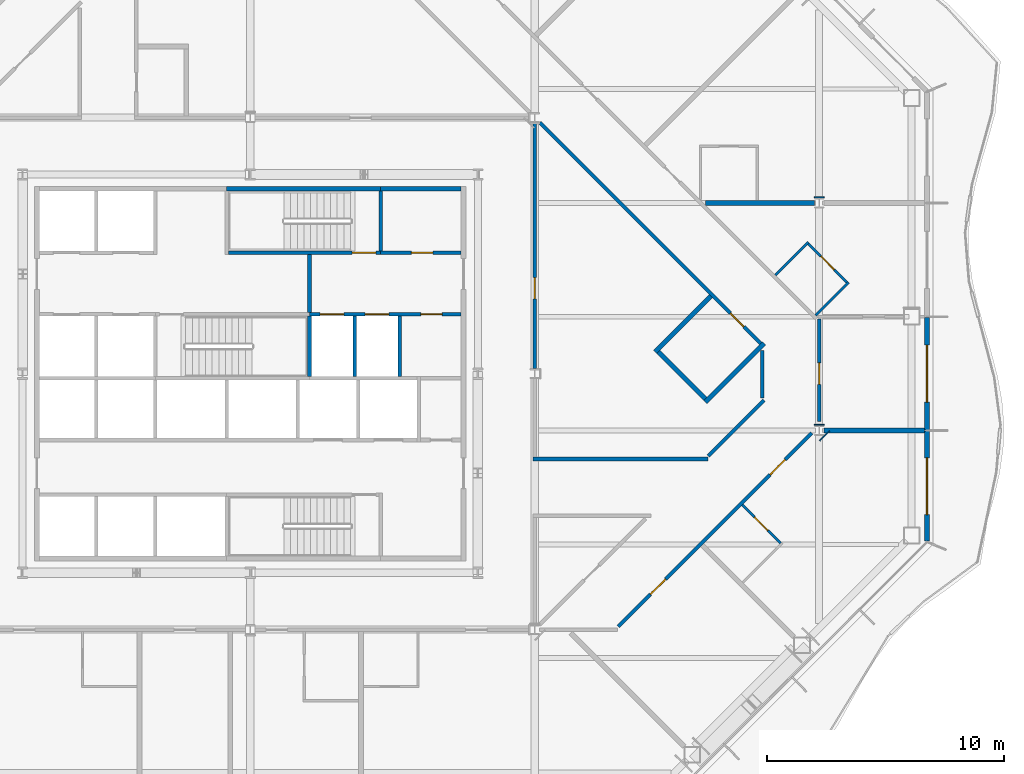
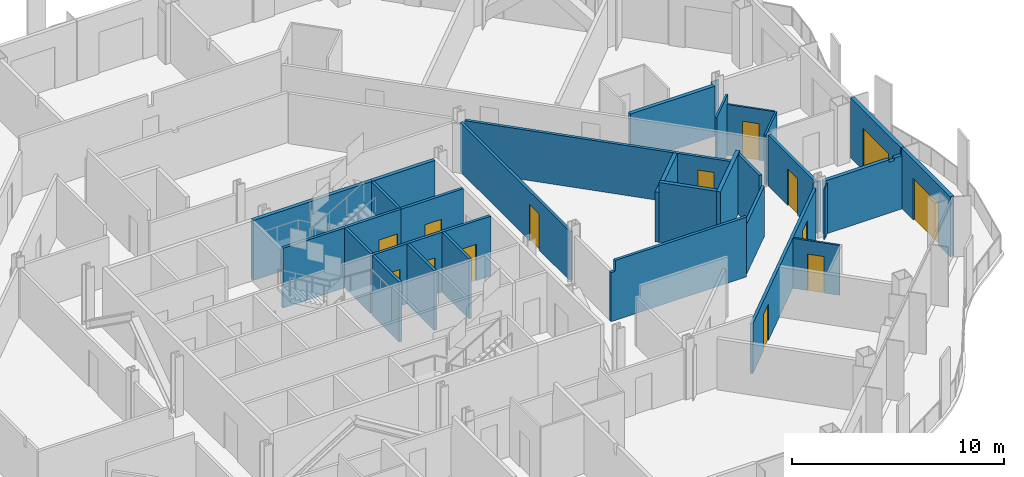
# One storey, part 10 of 21: 31 walls, 14 doors, 14 openings.
"""IFC4 building model written with IfcOpenShell, lengths in metres."""

from ifc_helpers import new_model, si_unit, direction, frame, frame_2d, origin, place, context, subcontext, project, spatial, polyline, rectangle, outline, extrude, material, layer, layer_set, type_object, element, fill, save


model = new_model("IFC4")

# Units and contexts
model_context = context("Model", 3, precision=1e-05, world=origin(), true_north=direction((0.0, 1.0)))
body_context = subcontext(model_context, "Body", "Model", "MODEL_VIEW")
ifc_project = project(units=[si_unit("LENGTHUNIT", "METRE"), si_unit("AREAUNIT", "SQUARE_METRE"), si_unit("VOLUMEUNIT", "CUBIC_METRE"), si_unit("PLANEANGLEUNIT", "RADIAN"), si_unit("MASSUNIT", "GRAM", prefix="KILO")], contexts=[model_context])

# Site, building, storey
site_placement = place(None, origin())
site = spatial("IfcSite", under=ifc_project, at=site_placement, CompositionType="ELEMENT")
building_placement = place(site_placement, origin())
building = spatial("IfcBuilding", under=site, at=building_placement, Name="Cairn Pilgrim Tower", CompositionType="ELEMENT")
storey_placement = place(building_placement, frame((0.0, 0.0, 129.0)))
storey = spatial("IfcBuildingStorey", under=building, at=storey_placement, Name="L31", CompositionType="ELEMENT", Elevation=129.0)

# Wall, opening, door
ifc_material_1 = material(Name="Bronze anodised aluminium insulated sandwich panel with mineral wool fill", Category="aluminium")
ifc_layer_1 = layer(ifc_material_1, 0.199951171875)
ifc_layer_set_1 = layer_set([ifc_layer_1], Name="BRONZE INFILL FRAME WALL 200")
wall_type_1 = type_object("IfcWallType", Name="BRONZE INFILL FRAME WALL 200", PredefinedType="NOTDEFINED", material=ifc_layer_set_1)
wall_1_placement = place(storey_placement, frame((35.75, -4.656494140625, 0.0), z_axis=(0.0, 0.0, 1.0), x_axis=(0.0, 1.0, 0.0)))
wall_1 = element("IfcWall", 1, at=wall_1_placement, inside=storey, type_object=wall_type_1, Name="Bronze infill frame wall IW-E1", PredefinedType="NOTDEFINED", context=body_context, shape_type="SweptSolid", body=[
    extrude(rectangle(XDim=4.62646484375, YDim=0.199951171875, at=frame_2d((2.313232421875, 0.0))), origin(), (0.0, 0.0, 1.0), 3.449951171875),
])
opening_1_placement = place(wall_1_placement, frame((1.1083984375, 0.0, 0.0)))
opening_1 = element("IfcOpeningElement", 2, at=opening_1_placement, cuts=wall_1, Name="Opening 3104B", PredefinedType="OPENING", context=body_context, shape_type="SweptSolid", body=[
    extrude(rectangle(XDim=2.39990234375, YDim=2.39990234375, at=frame_2d((1.199951171875, 1.199951171875))), frame((0.0, 0.10986328125, 0.0), z_axis=(0.0, -1.0, 0.0), x_axis=(1.0, 0.0, 0.0)), (0.0, 0.0, 1.0), 0.219970703125),
])
ifc_material_2 = material(Name="Bronze anodised aluminium frame with tinted low-E glass", Category="aluminium")
door_type_1 = type_object("IfcDoorType", Name="BALCONY SLIDING DOOR 2400x2400", OperationType="DOUBLE_DOOR_SLIDING", PredefinedType="DOOR", material=ifc_material_2)
door_1_placement = place(opening_1_placement, origin())
door_1 = element("IfcDoor", 3, at=door_1_placement, inside=storey, type_object=door_type_1, Name="Balcony sliding door 3104B", OperationType="SINGLE_SWING_LEFT", OverallHeight=2.39990234375, OverallWidth=2.39990234375, PredefinedType="DOOR", context=body_context, shape_type="SweptSolid", body=[
    extrude(rectangle(XDim=2.39990234375, YDim=2.39990234375, at=frame_2d((1.199951171875, 1.199951171875))), frame((0.0, 0.02490234375, 0.0), z_axis=(0.0, -1.0, 0.0), x_axis=(1.0, 0.0, 0.0)), (0.0, 0.0, 1.0), 0.050048828125),
])
fill(opening_1, door_1)

wall_2_placement = place(storey_placement, frame((35.75, 0.030029296875, 0.0), z_axis=(0.0, 0.0, 1.0), x_axis=(0.0, 1.0, 0.0)))
wall_2 = element("IfcWall", 4, at=wall_2_placement, inside=storey, type_object=wall_type_1, Name="Bronze infill frame wall IW-E2", PredefinedType="NOTDEFINED", context=body_context, shape_type="SweptSolid", body=[
    extrude(rectangle(XDim=4.739990234375, YDim=0.199951171875, at=frame_2d((2.3701171875, 0.0))), origin(), (0.0, 0.0, 1.0), 3.449951171875),
])
opening_2_placement = place(wall_2_placement, frame((1.169921875, 0.0, 0.0)))
opening_2 = element("IfcOpeningElement", 5, at=opening_2_placement, cuts=wall_2, Name="Opening 3105B", PredefinedType="OPENING", context=body_context, shape_type="SweptSolid", body=[
    extrude(rectangle(XDim=2.39990234375, YDim=2.39990234375, at=frame_2d((1.199951171875, 1.199951171875))), frame((0.0, 0.10986328125, 0.0), z_axis=(0.0, -1.0, 0.0), x_axis=(1.0, 0.0, 0.0)), (0.0, 0.0, 1.0), 0.219970703125),
])
door_2_placement = place(opening_2_placement, origin())
door_2 = element("IfcDoor", 6, at=door_2_placement, inside=storey, type_object=door_type_1, Name="Balcony sliding door 3105B", OperationType="SINGLE_SWING_LEFT", OverallHeight=2.39990234375, OverallWidth=2.39990234375, PredefinedType="DOOR", context=body_context, shape_type="SweptSolid", body=[
    extrude(rectangle(XDim=2.39990234375, YDim=2.39990234375, at=frame_2d((1.199951171875, 1.199951171875))), frame((0.0, 0.02490234375, 0.0), z_axis=(0.0, -1.0, 0.0), x_axis=(1.0, 0.0, 0.0)), (0.0, 0.0, 1.0), 0.050048828125),
])
fill(opening_2, door_2)

# Wall
ifc_material_3 = material(Name="Concrete C32/40", Category="concrete")
ifc_layer_2 = layer(ifc_material_3, 0.199951171875)
ifc_layer_set_2 = layer_set([ifc_layer_2], Name="CORE OUTER WALL 200 EI 120")
wall_type_2 = type_object("IfcWallType", Name="CORE OUTER WALL 200 EI 120", PredefinedType="SOLIDWALL", material=ifc_layer_set_2)
wall_3_placement = place(storey_placement, frame((12.699951171875, 10.199951171875, 0.0), z_axis=(0.0, 0.0, 1.0), x_axis=(1.0, 0.0, 0.0)))
element("IfcWall", 7, at=wall_3_placement, inside=storey, type_object=wall_type_2, Name="CW:L31:H10-3", PredefinedType="SOLIDWALL", context=body_context, shape_type="SweptSolid", body=[
    extrude(rectangle(XDim=3.400146484375, YDim=0.199951171875, at=frame_2d((1.7001953125, 0.0))), origin(), (0.0, 0.0, 1.0), 3.449951171875),
])

# Wall, openings, doors
ifc_layer_3 = layer(ifc_material_3, 0.14990234375)
ifc_layer_set_3 = layer_set([ifc_layer_3], Name="CORE SHAFT WALL 150 EI 120")
wall_type_3 = type_object("IfcWallType", Name="CORE SHAFT WALL 150 EI 120", PredefinedType="SOLIDWALL", material=ifc_layer_set_3)
wall_4_placement = place(storey_placement, frame((9.699951171875, 4.89990234375, 0.0), z_axis=(0.0, 0.0, 1.0), x_axis=(1.0, 0.0, 0.0)))
wall_4 = element("IfcWall", 8, at=wall_4_placement, inside=storey, type_object=wall_type_3, Name="CW:L31:H07-3", PredefinedType="SOLIDWALL", context=body_context, shape_type="SweptSolid", body=[
    extrude(rectangle(XDim=6.400146484375, YDim=0.14990234375, at=frame_2d((3.2001953125, 0.0))), origin(), (0.0, 0.0, 1.0), 3.449951171875),
])
opening_3_placement = place(wall_4_placement, frame((0.449951171875, 0.0, 0.0)))
opening_3 = element("IfcOpeningElement", 9, at=opening_3_placement, cuts=wall_4, Name="Opening LD-FF1", PredefinedType="OPENING", context=body_context, shape_type="SweptSolid", body=[
    extrude(rectangle(XDim=1.0, YDim=2.10009765625, at=frame_2d((0.5, 1.050048828125))), frame((0.0, 0.0849609375, 0.0), z_axis=(0.0, -1.0, 0.0), x_axis=(1.0, 0.0, 0.0)), (0.0, 0.0, 1.0), 0.169921875),
])
opening_4_placement = place(wall_4_placement, frame((2.35009765625, 0.0, 0.0)))
opening_4 = element("IfcOpeningElement", 10, at=opening_4_placement, cuts=wall_4, Name="Opening LD-FF2", PredefinedType="OPENING", context=body_context, shape_type="SweptSolid", body=[
    extrude(rectangle(XDim=1.0, YDim=2.10009765625, at=frame_2d((0.5, 1.050048828125))), frame((0.0, 0.0849609375, 0.0), z_axis=(0.0, -1.0, 0.0), x_axis=(1.0, 0.0, 0.0)), (0.0, 0.0, 1.0), 0.169921875),
])
opening_5_placement = place(wall_4_placement, frame((4.699951171875, 0.0, 0.0)))
opening_5 = element("IfcOpeningElement", 11, at=opening_5_placement, cuts=wall_4, Name="Opening RD-R3E", PredefinedType="OPENING", context=body_context, shape_type="SweptSolid", body=[
    extrude(rectangle(XDim=0.89990234375, YDim=2.10009765625, at=frame_2d((0.449951171875, 1.050048828125))), frame((0.0, 0.0849609375, 0.0), z_axis=(0.0, -1.0, 0.0), x_axis=(1.0, 0.0, 0.0)), (0.0, 0.0, 1.0), 0.169921875),
])
ifc_material_4 = material(Name="Stainless steel", Category="steel")
door_type_2 = type_object("IfcDoorType", Name="LIFT LANDING DOOR FIRE 1000x2100", OperationType="DOUBLE_DOOR_SLIDING", PredefinedType="DOOR", material=ifc_material_4)
door_3_placement = place(opening_3_placement, origin())
door_3 = element("IfcDoor", 12, at=door_3_placement, inside=storey, type_object=door_type_2, Name="LANDING DOOR FF1", OperationType="DOUBLE_DOOR_SLIDING", OverallHeight=2.10009765625, OverallWidth=1.0, PredefinedType="DOOR", context=body_context, shape_type="SweptSolid", body=[
    extrude(rectangle(XDim=1.0, YDim=2.10009765625, at=frame_2d((0.5, 1.050048828125))), frame((0.0, 0.02490234375, 0.0), z_axis=(0.0, -1.0, 0.0), x_axis=(1.0, 0.0, 0.0)), (0.0, 0.0, 1.0), 0.050048828125),
])
fill(opening_3, door_3)
door_4_placement = place(opening_4_placement, origin())
door_4 = element("IfcDoor", 13, at=door_4_placement, inside=storey, type_object=door_type_2, Name="LANDING DOOR FF2", OperationType="DOUBLE_DOOR_SLIDING", OverallHeight=2.10009765625, OverallWidth=1.0, PredefinedType="DOOR", context=body_context, shape_type="SweptSolid", body=[
    extrude(rectangle(XDim=1.0, YDim=2.10009765625, at=frame_2d((0.5, 1.050048828125))), frame((0.0, 0.02490234375, 0.0), z_axis=(0.0, -1.0, 0.0), x_axis=(1.0, 0.0, 0.0)), (0.0, 0.0, 1.0), 0.050048828125),
])
fill(opening_4, door_4)
ifc_material_5 = material(Name="Painted steel", Category="steel")
door_type_3 = type_object("IfcDoorType", Name="SERVICE ROOM DOOR 900x2100", OperationType="SINGLE_SWING_LEFT", PredefinedType="DOOR", material=ifc_material_5)
door_5_placement = place(opening_5_placement, origin())
door_5 = element("IfcDoor", 14, at=door_5_placement, inside=storey, type_object=door_type_3, Name="RD-R3E", OperationType="SINGLE_SWING_LEFT", OverallHeight=2.10009765625, OverallWidth=0.89990234375, PredefinedType="DOOR", context=body_context, shape_type="SweptSolid", body=[
    extrude(rectangle(XDim=0.89990234375, YDim=2.10009765625, at=frame_2d((0.449951171875, 1.050048828125))), frame((0.0, 0.02490234375, 0.0), z_axis=(0.0, -1.0, 0.0), x_axis=(1.0, 0.0, 0.0)), (0.0, 0.0, 1.0), 0.050048828125),
])
fill(opening_5, door_5)

# Wall, opening, door
wall_5_placement = place(storey_placement, frame((12.699951171875, 7.5, 0.0), z_axis=(0.0, 0.0, 1.0), x_axis=(1.0, 0.0, 0.0)))
wall_5 = element("IfcWall", 15, at=wall_5_placement, inside=storey, type_object=wall_type_3, Name="CW:L31:H09-2", PredefinedType="SOLIDWALL", context=body_context, shape_type="SweptSolid", body=[
    extrude(rectangle(XDim=3.400146484375, YDim=0.14990234375, at=frame_2d((1.7001953125, 0.0))), origin(), (0.0, 0.0, 1.0), 3.449951171875),
])
opening_6_placement = place(wall_5_placement, frame((1.300048828125, 0.0, 0.0)))
opening_6 = element("IfcOpeningElement", 16, at=opening_6_placement, cuts=wall_5, Name="Opening RD-R4E", PredefinedType="OPENING", context=body_context, shape_type="SweptSolid", body=[
    extrude(rectangle(XDim=0.89990234375, YDim=2.10009765625, at=frame_2d((0.449951171875, 1.050048828125))), frame((0.0, 0.0849609375, 0.0), z_axis=(0.0, -1.0, 0.0), x_axis=(1.0, 0.0, 0.0)), (0.0, 0.0, 1.0), 0.169921875),
])
door_6_placement = place(opening_6_placement, origin())
door_6 = element("IfcDoor", 17, at=door_6_placement, inside=storey, type_object=door_type_3, Name="RD-R4E", OperationType="SINGLE_SWING_RIGHT", OverallHeight=2.10009765625, OverallWidth=0.89990234375, PredefinedType="DOOR", context=body_context, shape_type="SweptSolid", body=[
    extrude(rectangle(XDim=0.89990234375, YDim=2.10009765625, at=frame_2d((0.449951171875, 1.050048828125))), frame((0.0, 0.02490234375, 0.0), z_axis=(0.0, -1.0, 0.0), x_axis=(1.0, 0.0, 0.0)), (0.0, 0.0, 1.0), 0.050048828125),
])
fill(opening_6, door_6)

# Walls
wall_6_placement = place(storey_placement, frame((9.699951171875, 4.97509765625, 0.0), z_axis=(0.0, 0.0, 1.0), x_axis=(0.0, 1.0, 0.0)))
element("IfcWall", 18, at=wall_6_placement, inside=storey, type_object=wall_type_3, Name="CW:L31:V25", PredefinedType="SOLIDWALL", context=body_context, shape_type="SweptSolid", body=[
    extrude(rectangle(XDim=2.449951171875, YDim=0.14990234375, at=frame_2d((1.22509765625, 0.0))), origin(), (0.0, 0.0, 1.0), 3.449951171875),
])
for number, where, z_axis, x_axis, name in (
    (19, (11.60009765625, 2.27490234375, 0.0), (0.0, 0.0, 1.0), (0.0, 1.0, 0.0), "CW:L31:V26"),
    (20, (13.5, 2.27490234375, 0.0), (0.0, 0.0, 1.0), (0.0, 1.0, 0.0), "CW:L31:V30"),
):
    element("IfcWall", number, at=place(storey_placement, frame(where, z_axis=z_axis, x_axis=x_axis)), inside=storey, type_object=wall_type_3, Name=name, PredefinedType="SOLIDWALL", context=body_context, shape_type="SweptSolid", body=[
        extrude(rectangle(XDim=2.550048828125, YDim=0.14990234375, at=frame_2d((1.27490234375, 0.0))), origin(), (0.0, 0.0, 1.0), 3.449951171875),
    ])

# Wall, opening, door
ifc_material_6 = material(Name="Gypsum partition")
ifc_layer_4 = layer(ifc_material_6, 0.10009765625)
ifc_layer_set_4 = layer_set([ifc_layer_4], Name="PARTITION 100 DRYWALL")
wall_type_4 = type_object("IfcWallType", Name="PARTITION 100 DRYWALL", PredefinedType="PARTITIONING", material=ifc_layer_set_4)
wall_7_placement = place(storey_placement, frame((29.567626953125, -4.74951171875, 0.0), z_axis=(0.0, 0.0, 1.0), x_axis=(-0.707160441348, 0.707053116953, 0.0)))
wall_7 = element("IfcWall", 21, at=wall_7_placement, inside=storey, type_object=wall_type_4, Name="PARTITION W028", PredefinedType="PARTITIONING", context=body_context, shape_type="SweptSolid", body=[
    extrude(rectangle(XDim=2.27490234375, YDim=0.10009765625, at=frame_2d((1.137451171875, 0.0))), origin(), (0.0, 0.0, 1.0), 2.8798828125),
])
opening_7_placement = place(wall_7_placement, frame((0.75, 0.0, 0.0)))
opening_7 = element("IfcOpeningElement", 22, at=opening_7_placement, cuts=wall_7, Name="Opening 3104A", PredefinedType="OPENING", context=body_context, shape_type="SweptSolid", body=[
    extrude(rectangle(XDim=0.800048828125, YDim=2.10009765625, at=frame_2d((0.39990234375, 1.050048828125))), frame((0.0, 0.06005859375, 0.0), z_axis=(0.0, -1.0, 0.0), x_axis=(1.0, 0.0, 0.0)), (0.0, 0.0, 1.0), 0.1201171875),
])
ifc_material_7 = material(Name="Timber door leaf", Category="wood")
door_type_4 = type_object("IfcDoorType", Name="WC DOOR 800x2100", OperationType="NOTDEFINED", PredefinedType="DOOR", material=ifc_material_7)
door_7_placement = place(opening_7_placement, frame((0.800048828125, 0.0, 0.0), z_axis=(0.0, 0.0, 1.0), x_axis=(-1.0, 0.0, 0.0)))
door_7 = element("IfcDoor", 23, at=door_7_placement, inside=storey, type_object=door_type_4, Name="DOOR 3104A", OperationType="SINGLE_SWING_LEFT", OverallHeight=2.10009765625, OverallWidth=0.800048828125, PredefinedType="DOOR", context=body_context, shape_type="SweptSolid", body=[
    extrude(rectangle(XDim=0.800048828125, YDim=2.10009765625, at=frame_2d((0.39990234375, 1.050048828125))), frame((0.0, 0.02490234375, 0.0), z_axis=(0.0, -1.0, 0.0), x_axis=(1.0, 0.0, 0.0)), (0.0, 0.0, 1.0), 0.050048828125),
])
fill(opening_7, door_7)

# Wall
wall_8_placement = place(storey_placement, frame((31.047119140625, 4.85302734375, 0.0), z_axis=(0.0, 0.0, 1.0), x_axis=(0.707044963048, 0.707168593921, 0.0)))
element("IfcWall", 24, at=wall_8_placement, inside=storey, type_object=wall_type_4, Name="PARTITION W056", PredefinedType="PARTITIONING", context=body_context, shape_type="SweptSolid", body=[
    extrude(rectangle(XDim=1.974853515625, YDim=0.10009765625, at=frame_2d((0.9873046875, 0.0))), origin(), (0.0, 0.0, 1.0), 2.8798828125),
])

# Wall, opening, door
wall_9_placement = place(storey_placement, frame((32.37255859375, 6.24951171875, 0.0), z_axis=(0.0, 0.0, 1.0), x_axis=(-0.707159861304, 0.707053697085, 0.0)))
wall_9 = element("IfcWall", 25, at=wall_9_placement, inside=storey, type_object=wall_type_4, Name="PARTITION W058", PredefinedType="PARTITIONING", context=body_context, shape_type="SweptSolid", body=[
    extrude(rectangle(XDim=2.299560546875, YDim=0.10009765625, at=frame_2d((1.14990234375, 0.0))), origin(), (0.0, 0.0, 1.0), 2.929931640625),
])
opening_8_placement = place(wall_9_placement, frame((0.75, 0.0, 0.0)))
opening_8 = element("IfcOpeningElement", 26, at=opening_8_placement, cuts=wall_9, Name="Opening 3105A", PredefinedType="OPENING", context=body_context, shape_type="SweptSolid", body=[
    extrude(rectangle(XDim=0.800048828125, YDim=2.10009765625, at=frame_2d((0.39990234375, 1.050048828125))), frame((0.0, 0.06005859375, 0.0), z_axis=(0.0, -1.0, 0.0), x_axis=(1.0, 0.0, 0.0)), (0.0, 0.0, 1.0), 0.1201171875),
])
door_8_placement = place(opening_8_placement, frame((0.800048828125, 0.0, 0.0), z_axis=(0.0, 0.0, 1.0), x_axis=(-1.0, 0.0, 0.0)))
door_8 = element("IfcDoor", 27, at=door_8_placement, inside=storey, type_object=door_type_4, Name="DOOR 3105A", OperationType="SINGLE_SWING_LEFT", OverallHeight=2.10009765625, OverallWidth=0.800048828125, PredefinedType="DOOR", context=body_context, shape_type="SweptSolid", body=[
    extrude(rectangle(XDim=0.800048828125, YDim=2.10009765625, at=frame_2d((0.39990234375, 1.050048828125))), frame((0.0, 0.02490234375, 0.0), z_axis=(0.0, -1.0, 0.0), x_axis=(1.0, 0.0, 0.0)), (0.0, 0.0, 1.0), 0.050048828125),
])
fill(opening_8, door_8)

# Wall
wall_10_placement = place(storey_placement, frame((29.35009765625, 6.550048828125, 0.0), z_axis=(0.0, 0.0, 1.0), x_axis=(0.707106781187, 0.707106781187, 0.0)))
element("IfcWall", 28, at=wall_10_placement, inside=storey, type_object=wall_type_4, Name="PARTITION W059", PredefinedType="PARTITIONING", context=body_context, shape_type="SweptSolid", body=[
    extrude(rectangle(XDim=1.974609375, YDim=0.10009765625, at=frame_2d((0.9873046875, 0.0))), origin(), (0.0, 0.0, 1.0), 3.449951171875),
])

# Wall, openings, doors
ifc_layer_5 = layer(ifc_material_6, 0.14990234375)
ifc_layer_set_5 = layer_set([ifc_layer_5], Name="PARTITION 150 DRYWALL EI 60")
wall_type_5 = type_object("IfcWallType", Name="PARTITION 150 DRYWALL EI 60", PredefinedType="PARTITIONING", material=ifc_layer_set_5)
wall_11_placement = place(storey_placement, frame((22.721923828125, -8.27197265625, 0.0), z_axis=(0.0, 0.0, 1.0), x_axis=(0.707106781187, 0.707106781187, 0.0)))
wall_11 = element("IfcWall", 29, at=wall_11_placement, inside=storey, type_object=wall_type_5, Name="PARTITION W022", PredefinedType="PARTITIONING", context=body_context, shape_type="SweptSolid", body=[
    extrude(rectangle(XDim=11.549072265625, YDim=0.14990234375, at=frame_2d((5.7744140625, 0.0))), origin(), (0.0, 0.0, 1.0), 2.8798828125),
])
opening_9_placement = place(wall_11_placement, frame((1.92529296875, 0.0, 0.0)))
opening_9 = element("IfcOpeningElement", 30, at=opening_9_placement, cuts=wall_11, Name="Opening 3103", PredefinedType="OPENING", context=body_context, shape_type="SweptSolid", body=[
    extrude(rectangle(XDim=0.89990234375, YDim=2.10009765625, at=frame_2d((0.449951171875, 1.050048828125))), frame((0.0, 0.0849609375, 0.0), z_axis=(0.0, -1.0, 0.0), x_axis=(1.0, 0.0, 0.0)), (0.0, 0.0, 1.0), 0.169921875),
])
opening_10_placement = place(wall_11_placement, frame((9.0654296875, 0.0, 0.0)))
opening_10 = element("IfcOpeningElement", 31, at=opening_10_placement, cuts=wall_11, Name="Opening 3104", PredefinedType="OPENING", context=body_context, shape_type="SweptSolid", body=[
    extrude(rectangle(XDim=0.89990234375, YDim=2.10009765625, at=frame_2d((0.449951171875, 1.050048828125))), frame((0.0, 0.0849609375, 0.0), z_axis=(0.0, -1.0, 0.0), x_axis=(1.0, 0.0, 0.0)), (0.0, 0.0, 1.0), 0.169921875),
])
door_type_5 = type_object("IfcDoorType", Name="ROOM DOOR 900x2100 FD30S", OperationType="NOTDEFINED", PredefinedType="DOOR", material=ifc_material_7)
door_9_placement = place(opening_10_placement, frame((0.89990234375, 0.0, 0.0), z_axis=(0.0, 0.0, 1.0), x_axis=(-1.0, 0.0, 0.0)))
door_9 = element("IfcDoor", 32, at=door_9_placement, inside=storey, type_object=door_type_5, Name="DOOR 3104", OperationType="SINGLE_SWING_LEFT", OverallHeight=2.10009765625, OverallWidth=0.89990234375, PredefinedType="DOOR", context=body_context, shape_type="SweptSolid", body=[
    extrude(rectangle(XDim=0.89990234375, YDim=2.10009765625, at=frame_2d((0.449951171875, 1.050048828125))), frame((0.0, 0.02490234375, 0.0), z_axis=(0.0, -1.0, 0.0), x_axis=(1.0, 0.0, 0.0)), (0.0, 0.0, 1.0), 0.050048828125),
])
fill(opening_10, door_9)
door_type_6 = type_object("IfcDoorType", Name="SERVICE DOOR 900x2100 FD30S", OperationType="NOTDEFINED", PredefinedType="DOOR", material=ifc_material_7)
door_10_placement = place(opening_9_placement, frame((0.89990234375, 0.0, 0.0), z_axis=(0.0, 0.0, 1.0), x_axis=(-1.0, 0.0, 0.0)))
door_10 = element("IfcDoor", 33, at=door_10_placement, inside=storey, type_object=door_type_6, Name="DOOR 3103", OperationType="SINGLE_SWING_LEFT", OverallHeight=2.10009765625, OverallWidth=0.89990234375, PredefinedType="DOOR", context=body_context, shape_type="SweptSolid", body=[
    extrude(rectangle(XDim=0.89990234375, YDim=2.10009765625, at=frame_2d((0.449951171875, 1.050048828125))), frame((0.0, 0.02490234375, 0.0), z_axis=(0.0, -1.0, 0.0), x_axis=(1.0, 0.0, 0.0)), (0.0, 0.0, 1.0), 0.050048828125),
])
fill(opening_9, door_10)

# Walls
wall_12_placement = place(storey_placement, frame((19.125, -1.199951171875, 0.0), z_axis=(0.0, 0.0, 1.0), x_axis=(1.0, 0.0, 0.0)))
element("IfcWall", 34, at=wall_12_placement, inside=storey, type_object=wall_type_5, Name="PARTITION W033", PredefinedType="PARTITIONING", context=body_context, shape_type="SweptSolid", body=[
    extrude(outline(polyline([(0.0, 0.0), (7.381103515625, 0.0), (7.381103515625, 3.449951171875), (0.22509765625, 3.449951171875), (0.222900390625, 2.830078125), (0.0, 2.830078125), (0.0, 0.0)])), frame((0.0, 0.074951171875, 0.0), z_axis=(0.0, -1.0, 0.0), x_axis=(1.0, 0.0, 0.0)), (0.0, 0.0, 1.0), 0.14990234375),
])
wall_13_placement = place(storey_placement, frame((26.528076171875, -1.072021484375, 0.0), z_axis=(0.0, 0.0, 1.0), x_axis=(0.707106781187, 0.707106781187, 0.0)))
element("IfcWall", 35, at=wall_13_placement, inside=storey, type_object=wall_type_5, Name="PARTITION W037", PredefinedType="PARTITIONING", context=body_context, shape_type="SweptSolid", body=[
    extrude(rectangle(XDim=3.319091796875, YDim=0.14990234375, at=frame_2d((1.65966796875, 0.0))), origin(), (0.0, 0.0, 1.0), 2.8798828125),
])

# Wall, opening, door
wall_14_placement = place(storey_placement, frame((31.199951171875, 0.38720703125, 0.0), z_axis=(0.0, 0.0, 1.0), x_axis=(0.0, 1.0, 0.0)))
wall_14 = element("IfcWall", 36, at=wall_14_placement, inside=storey, type_object=wall_type_5, Name="PARTITION W040", PredefinedType="PARTITIONING", context=body_context, shape_type="SweptSolid", body=[
    extrude(rectangle(XDim=4.31298828125, YDim=0.14990234375, at=frame_2d((2.156494140625, 0.0))), origin(), (0.0, 0.0, 1.0), 2.929931640625),
])
opening_11_placement = place(wall_14_placement, frame((1.56298828125, 0.0, 0.0)))
opening_11 = element("IfcOpeningElement", 37, at=opening_11_placement, cuts=wall_14, Name="Opening 3105", PredefinedType="OPENING", context=body_context, shape_type="SweptSolid", body=[
    extrude(rectangle(XDim=0.89990234375, YDim=2.10009765625, at=frame_2d((0.449951171875, 1.050048828125))), frame((0.0, 0.0849609375, 0.0), z_axis=(0.0, -1.0, 0.0), x_axis=(1.0, 0.0, 0.0)), (0.0, 0.0, 1.0), 0.169921875),
])
door_11_placement = place(opening_11_placement, frame((0.89990234375, 0.0, 0.0), z_axis=(0.0, 0.0, 1.0), x_axis=(-1.0, 0.0, 0.0)))
door_11 = element("IfcDoor", 38, at=door_11_placement, inside=storey, type_object=door_type_5, Name="DOOR 3105", OperationType="SINGLE_SWING_LEFT", OverallHeight=2.10009765625, OverallWidth=0.89990234375, PredefinedType="DOOR", context=body_context, shape_type="SweptSolid", body=[
    extrude(rectangle(XDim=0.89990234375, YDim=2.10009765625, at=frame_2d((0.449951171875, 1.050048828125))), frame((0.0, 0.02490234375, 0.0), z_axis=(0.0, -1.0, 0.0), x_axis=(1.0, 0.0, 0.0)), (0.0, 0.0, 1.0), 0.050048828125),
])
fill(opening_11, door_11)

# Wall
wall_15_placement = place(storey_placement, frame((28.800048828125, 1.381103515625, 0.0), z_axis=(0.0, 0.0, 1.0), x_axis=(0.0, 1.0, 0.0)))
element("IfcWall", 39, at=wall_15_placement, inside=storey, type_object=wall_type_5, Name="PARTITION W043", PredefinedType="PARTITIONING", context=body_context, shape_type="SweptSolid", body=[
    extrude(rectangle(XDim=2.00244140625, YDim=0.14990234375, at=frame_2d((1.001220703125, 0.0))), origin(), (0.0, 0.0, 1.0), 3.449951171875),
])

# Wall, opening, door
wall_16_placement = place(storey_placement, frame((19.199951171875, 2.612548828125, 0.0), z_axis=(0.0, 0.0, 1.0), x_axis=(0.0, 1.0, 0.0)))
wall_16 = element("IfcWall", 40, at=wall_16_placement, inside=storey, type_object=wall_type_5, Name="PARTITION W047", PredefinedType="PARTITIONING", context=body_context, shape_type="SweptSolid", body=[
    extrude(rectangle(XDim=10.375, YDim=0.14990234375, at=frame_2d((5.1875, 0.0))), origin(), (0.0, 0.0, 1.0), 2.830078125),
])
opening_12_placement = place(wall_16_placement, frame((2.9375, 0.0, 0.0)))
opening_12 = element("IfcOpeningElement", 41, at=opening_12_placement, cuts=wall_16, Name="Opening 3121", PredefinedType="OPENING", context=body_context, shape_type="SweptSolid", body=[
    extrude(rectangle(XDim=0.89990234375, YDim=2.10009765625, at=frame_2d((0.449951171875, 1.050048828125))), frame((0.0, 0.0849609375, 0.0), z_axis=(0.0, -1.0, 0.0), x_axis=(1.0, 0.0, 0.0)), (0.0, 0.0, 1.0), 0.169921875),
])
door_12_placement = place(opening_12_placement, frame((0.89990234375, 0.0, 0.0), z_axis=(0.0, 0.0, 1.0), x_axis=(-1.0, 0.0, 0.0)))
door_12 = element("IfcDoor", 42, at=door_12_placement, inside=storey, type_object=door_type_6, Name="DOOR 3121", OperationType="SINGLE_SWING_LEFT", OverallHeight=2.10009765625, OverallWidth=0.89990234375, PredefinedType="DOOR", context=body_context, shape_type="SweptSolid", body=[
    extrude(rectangle(XDim=0.89990234375, YDim=2.10009765625, at=frame_2d((0.449951171875, 1.050048828125))), frame((0.0, 0.02490234375, 0.0), z_axis=(0.0, -1.0, 0.0), x_axis=(1.0, 0.0, 0.0)), (0.0, 0.0, 1.0), 0.050048828125),
])
fill(opening_12, door_12)

wall_17_placement = place(storey_placement, frame((28.729248046875, 3.670654296875, 0.0), z_axis=(0.0, 0.0, 1.0), x_axis=(-0.707106781187, 0.707106781187, 0.0)))
wall_17 = element("IfcWall", 43, at=wall_17_placement, inside=storey, type_object=wall_type_5, Name="PARTITION W049", PredefinedType="PARTITIONING", context=body_context, shape_type="SweptSolid", body=[
    extrude(rectangle(XDim=13.181640625, YDim=0.14990234375, at=frame_2d((6.5908203125, 0.0))), origin(), (0.0, 0.0, 1.0), 2.8798828125),
])
opening_13_placement = place(wall_17_placement, frame((1.0, 0.0, 0.0)))
opening_13 = element("IfcOpeningElement", 44, at=opening_13_placement, cuts=wall_17, Name="Opening 3118", PredefinedType="OPENING", context=body_context, shape_type="SweptSolid", body=[
    extrude(rectangle(XDim=0.800048828125, YDim=2.10009765625, at=frame_2d((0.39990234375, 1.050048828125))), frame((0.0, 0.0849609375, 0.0), z_axis=(0.0, -1.0, 0.0), x_axis=(1.0, 0.0, 0.0)), (0.0, 0.0, 1.0), 0.169921875),
])
door_type_7 = type_object("IfcDoorType", Name="WC DOOR 800x2100 FD30S", OperationType="NOTDEFINED", PredefinedType="DOOR", material=ifc_material_7)
door_13_placement = place(opening_13_placement, origin())
door_13 = element("IfcDoor", 45, at=door_13_placement, inside=storey, type_object=door_type_7, Name="DOOR 3118", OperationType="SINGLE_SWING_RIGHT", OverallHeight=2.10009765625, OverallWidth=0.800048828125, PredefinedType="DOOR", context=body_context, shape_type="SweptSolid", body=[
    extrude(rectangle(XDim=0.800048828125, YDim=2.10009765625, at=frame_2d((0.39990234375, 1.050048828125))), frame((0.0, 0.02490234375, 0.0), z_axis=(0.0, -1.0, 0.0), x_axis=(1.0, 0.0, 0.0)), (0.0, 0.0, 1.0), 0.050048828125),
])
fill(opening_13, door_13)

# Walls
ifc_layer_6 = layer(ifc_material_6, 0.050048828125)
ifc_layer_set_6 = layer_set([ifc_layer_6], Name="PARTITION 50 DRYWALL EI 60")
wall_type_6 = type_object("IfcWallType", Name="PARTITION 50 DRYWALL EI 60", PredefinedType="PARTITIONING", material=ifc_layer_set_6)
wall_18_placement = place(storey_placement, frame((31.2177734375, -0.434814453125, 0.0), z_axis=(0.0, 0.0, 1.0), x_axis=(0.706899813022, 0.70731368879, 0.0)))
element("IfcWall", 46, at=wall_18_placement, inside=storey, type_object=wall_type_6, Name="COLUMN CASING WC17", PredefinedType="PARTITIONING", context=body_context, shape_type="SweptSolid", body=[
    extrude(rectangle(XDim=0.58984375, YDim=0.050048828125, at=frame_2d((0.294921875, 0.0))), origin(), (0.0, 0.0, 1.0), 2.929931640625),
])
for number, where, z_axis, x_axis, name in (
    (47, (30.99560546875, 0.237548828125, 0.0), (0.0, 0.0, 1.0), (1.0, 0.0, 0.0), "COLUMN CASING WC23"),
    (48, (30.99560546875, 9.83740234375, 0.0), (0.0, 0.0, 1.0), (1.0, 0.0, 0.0), "COLUMN CASING WC29"),
):
    element("IfcWall", number, at=place(storey_placement, frame(where, z_axis=z_axis, x_axis=x_axis)), inside=storey, type_object=wall_type_6, Name=name, PredefinedType="PARTITIONING", context=body_context, shape_type="SweptSolid", body=[
        extrude(rectangle(XDim=0.408935546875, YDim=0.050048828125, at=frame_2d((0.20458984375, 0.0))), origin(), (0.0, 0.0, 1.0), 2.929931640625),
    ])
ifc_layer_7 = layer(ifc_material_6, 0.199951171875)
ifc_layer_set_7 = layer_set([ifc_layer_7], Name="SHAFT WALL 200 GYPSUM EI 60")
wall_type_7 = type_object("IfcWallType", Name="SHAFT WALL 200 GYPSUM EI 60", PredefinedType="PARTITIONING", material=ifc_layer_set_7)
wall_19_placement = place(storey_placement, frame((31.404541015625, 0.0, 0.0), z_axis=(0.0, 0.0, 1.0), x_axis=(1.0, 0.0, 0.0)))
element("IfcWall", 49, at=wall_19_placement, inside=storey, type_object=wall_type_7, Name="PARTITION W038", PredefinedType="PARTITIONING", context=body_context, shape_type="SweptSolid", body=[
    extrude(outline(polyline([(0.0, 0.0), (4.245361328125, 0.0), (4.24560546875, 3.070068359375), (3.845458984375, 3.070068359375), (3.843505859375, 2.929931640625), (3.54541015625, 2.929931640625), (3.54345703125, 3.070068359375), (0.0, 3.070068359375), (0.0, 0.0)])), frame((0.0, 0.10009765625, 0.0), z_axis=(0.0, -1.0, 0.0), x_axis=(1.0, 0.0, 0.0)), (0.0, 0.0, 1.0), 0.199951171875),
])
wall_20_placement = place(storey_placement, frame((26.395263671875, 1.1953125, 0.0), z_axis=(0.0, 0.0, 1.0), x_axis=(0.707106781187, 0.707106781187, 0.0)))
element("IfcWall", 50, at=wall_20_placement, inside=storey, type_object=wall_type_7, Name="PARTITION W041", PredefinedType="PARTITIONING", context=body_context, shape_type="SweptSolid", body=[
    extrude(rectangle(XDim=3.517333984375, YDim=0.199951171875, at=frame_2d((1.7587890625, 0.0))), origin(), (0.0, 0.0, 1.0), 3.449951171875),
])
wall_21_placement = place(storey_placement, frame((26.395263671875, 1.336669921875, 0.0), z_axis=(0.0, 0.0, 1.0), x_axis=(-0.706888787312, 0.707324707876, 0.0)))
element("IfcWall", 51, at=wall_21_placement, inside=storey, type_object=wall_type_7, Name="PARTITION W042", PredefinedType="PARTITIONING", context=body_context, shape_type="SweptSolid", body=[
    extrude(rectangle(XDim=2.80029296875, YDim=0.199951171875, at=frame_2d((1.400146484375, 0.0))), origin(), (0.0, 0.0, 1.0), 3.449951171875),
])
wall_22_placement = place(storey_placement, frame((24.2744140625, 3.3173828125, 0.0), z_axis=(0.0, 0.0, 1.0), x_axis=(0.707253620925, 0.706959910949, 0.0)))
element("IfcWall", 52, at=wall_22_placement, inside=storey, type_object=wall_type_7, Name="PARTITION W048", PredefinedType="PARTITIONING", context=body_context, shape_type="SweptSolid", body=[
    extrude(rectangle(XDim=3.324951171875, YDim=0.199951171875, at=frame_2d((1.66259765625, 0.0))), origin(), (0.0, 0.0, 1.0), 2.8798828125),
])
wall_23_placement = place(storey_placement, frame((26.400146484375, 9.60009765625, 0.0), z_axis=(0.0, 0.0, 1.0), x_axis=(1.0, 0.0, 0.0)))
element("IfcWall", 53, at=wall_23_placement, inside=storey, type_object=wall_type_7, Name="PARTITION W064", PredefinedType="PARTITIONING", context=body_context, shape_type="SweptSolid", body=[
    extrude(rectangle(XDim=4.595458984375, YDim=0.199951171875, at=frame_2d((2.2978515625, 0.0))), origin(), (0.0, 0.0, 1.0), 2.8798828125),
])

# Wall, opening, door
ifc_material_8 = material(Name="Concrete C35/45", Category="concrete")
ifc_layer_8 = layer(ifc_material_8, 0.14990234375)
ifc_layer_set_8 = layer_set([ifc_layer_8], Name="STAIR SHAFT WALL 150 EI 120")
wall_type_8 = type_object("IfcWallType", Name="STAIR SHAFT WALL 150 EI 120", PredefinedType="SOLIDWALL", material=ifc_layer_set_8)
wall_24_placement = place(storey_placement, frame((6.27490234375, 7.5, 0.0), z_axis=(0.0, 0.0, 1.0), x_axis=(1.0, 0.0, 0.0)))
wall_24 = element("IfcWall", 54, at=wall_24_placement, inside=storey, type_object=wall_type_8, Name="CW:L31:H09-1", PredefinedType="SOLIDWALL", context=body_context, shape_type="SweptSolid", body=[
    extrude(rectangle(XDim=6.425048828125, YDim=0.14990234375, at=frame_2d((3.21240234375, 0.0))), origin(), (0.0, 0.0, 1.0), 3.449951171875),
])
opening_14_placement = place(wall_24_placement, frame((5.22509765625, 0.0, 0.0)))
opening_14 = element("IfcOpeningElement", 55, at=opening_14_placement, cuts=wall_24, Name="Opening SD-C", PredefinedType="OPENING", context=body_context, shape_type="SweptSolid", body=[
    extrude(rectangle(XDim=1.0, YDim=2.10009765625, at=frame_2d((0.5, 1.050048828125))), frame((0.0, 0.0849609375, 0.0), z_axis=(0.0, -1.0, 0.0), x_axis=(1.0, 0.0, 0.0)), (0.0, 0.0, 1.0), 0.169921875),
])
door_type_8 = type_object("IfcDoorType", Name="STAIR DOOR FD60S 1000x2100", OperationType="SINGLE_SWING_LEFT", PredefinedType="DOOR", material=ifc_material_5)
door_14_placement = place(opening_14_placement, origin())
door_14 = element("IfcDoor", 56, at=door_14_placement, inside=storey, type_object=door_type_8, Name="SD-C", OperationType="SINGLE_SWING_LEFT", OverallHeight=2.10009765625, OverallWidth=1.0, PredefinedType="DOOR", context=body_context, shape_type="SweptSolid", body=[
    extrude(rectangle(XDim=1.0, YDim=2.10009765625, at=frame_2d((0.5, 1.050048828125))), frame((0.0, 0.02490234375, 0.0), z_axis=(0.0, -1.0, 0.0), x_axis=(1.0, 0.0, 0.0)), (0.0, 0.0, 1.0), 0.050048828125),
])
fill(opening_14, door_14)

# Walls
wall_25_placement = place(storey_placement, frame((9.699951171875, 2.27490234375, 0.0), z_axis=(0.0, 0.0, 1.0), x_axis=(0.0, 1.0, 0.0)))
element("IfcWall", 57, at=wall_25_placement, inside=storey, type_object=wall_type_8, Name="CW:L31:V24", PredefinedType="SOLIDWALL", context=body_context, shape_type="SweptSolid", body=[
    extrude(rectangle(XDim=2.550048828125, YDim=0.14990234375, at=frame_2d((1.27490234375, 0.0))), origin(), (0.0, 0.0, 1.0), 3.449951171875),
])
wall_26_placement = place(storey_placement, frame((12.699951171875, 7.574951171875, 0.0), z_axis=(0.0, 0.0, 1.0), x_axis=(0.0, 1.0, 0.0)))
element("IfcWall", 58, at=wall_26_placement, inside=storey, type_object=wall_type_8, Name="CW:L31:V29", PredefinedType="SOLIDWALL", context=body_context, shape_type="SweptSolid", body=[
    extrude(rectangle(XDim=2.525146484375, YDim=0.14990234375, at=frame_2d((1.2626953125, 0.0))), origin(), (0.0, 0.0, 1.0), 3.449951171875),
])
ifc_layer_9 = layer(ifc_material_8, 0.199951171875)
ifc_layer_set_9 = layer_set([ifc_layer_9], Name="STAIR SHAFT WALL 200 EI 120")
wall_type_9 = type_object("IfcWallType", Name="STAIR SHAFT WALL 200 EI 120", PredefinedType="SOLIDWALL", material=ifc_layer_set_9)
wall_27_placement = place(storey_placement, frame((6.199951171875, 10.199951171875, 0.0), z_axis=(0.0, 0.0, 1.0), x_axis=(1.0, 0.0, 0.0)))
element("IfcWall", 59, at=wall_27_placement, inside=storey, type_object=wall_type_9, Name="CW:L31:H10-2", PredefinedType="SOLIDWALL", context=body_context, shape_type="SweptSolid", body=[
    extrude(rectangle(XDim=6.5, YDim=0.199951171875, at=frame_2d((3.25, 0.0))), origin(), (0.0, 0.0, 1.0), 3.449951171875),
])

save(model, "model.ifc")
